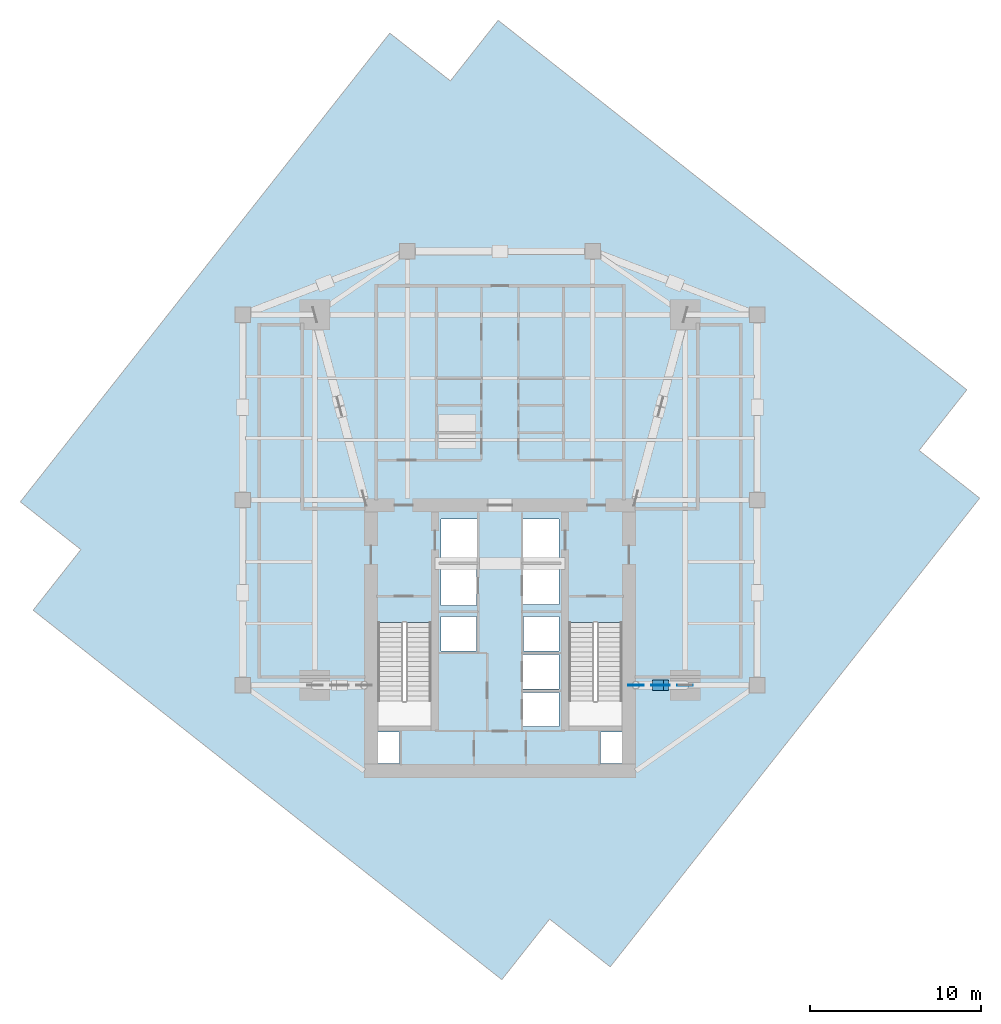
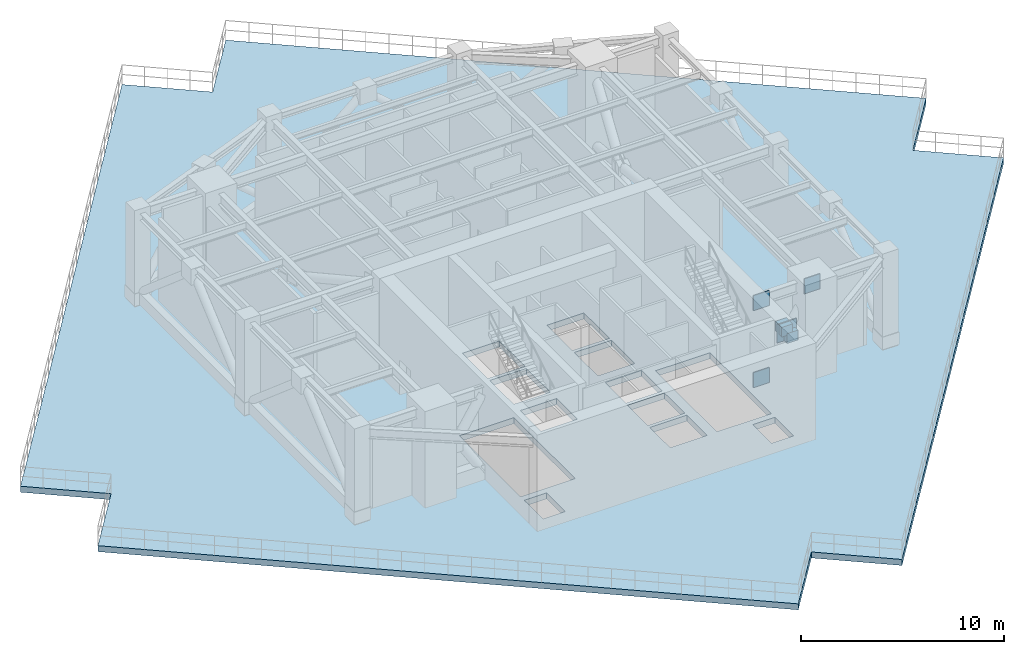
# One storey, part 3 of 8: 6 plates, 1 slab.
"""IFC4 building model written with IfcOpenShell, lengths in metres."""

from ifc_helpers import new_model, si_unit, direction, frame, origin, origin_2d, place, context, subcontext, project, spatial, polyline, rectangle, outline, extrude, source, transform, mapped, material, layer, layer_set, type_object, type_shapes, element, save


model = new_model("IFC4")

# Units and contexts
model_context = context("Model", 3, precision=1e-05, world=origin(), true_north=direction((0.0, 1.0)))
body_context = subcontext(model_context, "Body", "Model", "MODEL_VIEW")
ifc_project = project(units=[si_unit("LENGTHUNIT", "METRE"), si_unit("AREAUNIT", "SQUARE_METRE"), si_unit("VOLUMEUNIT", "CUBIC_METRE"), si_unit("PLANEANGLEUNIT", "RADIAN"), si_unit("MASSUNIT", "GRAM", prefix="KILO")], contexts=[model_context])

# Site, building, storey
site_placement = place(None, origin())
site = spatial("IfcSite", under=ifc_project, at=site_placement, CompositionType="ELEMENT")
building_placement = place(site_placement, origin())
building = spatial("IfcBuilding", under=site, at=building_placement, Name="Krantzveldt Concourse Tower", CompositionType="ELEMENT")
storey_placement = place(building_placement, frame((0.0, 0.0, 201.5)))
storey = spatial("IfcBuildingStorey", under=building, at=storey_placement, Name="L49", CompositionType="ELEMENT", Elevation=201.5)

# Slab
ifc_material_1 = material(Name="Concrete C50/60", Category="concrete")
ifc_layer_1 = layer(ifc_material_1, 0.360107421875, Name="Concrete C50/60", Category="concrete")
ifc_layer_set_1 = layer_set([ifc_layer_1], Name="Concrete C50/60 (SL-SL-WND360)")
slab_type = type_object("IfcSlabType", Name="SL-SL-WND360", PredefinedType="FLOOR", material=ifc_layer_set_1)
slab_placement = place(storey_placement, frame((0.0, 0.0, -0.360107421875)))
element("IfcSlab", 1, at=slab_placement, inside=storey, type_object=slab_type, Name="SL-L49-MAIN", PredefinedType="FLOOR", context=body_context, shape_type="SweptSolid", body=[
    extrude(outline(polyline([(33.107666015625, 51.13671875), (29.57373046875, 53.922607421875), (8.029296875, 26.59375), (11.563232421875, 23.8076171875), (8.77734375, 20.273681640625), (36.1064453125, -1.270751953125), (38.892333984375, 2.26318359375), (42.42626953125, -0.522705078125), (63.970703125, 26.806396484375), (60.436767578125, 29.59228515625), (63.22265625, 33.126220703125), (35.8935546875, 54.670654296875), (33.107666015625, 51.13671875)]), holes=[polyline([(28.8798828125, 19.547607421875), (28.8798828125, 13.52001953125), (31.97998046875, 13.52001953125), (31.97998046875, 19.547607421875), (28.8798828125, 19.547607421875)]), polyline([(40.02001953125, 19.547607421875), (40.02001953125, 13.52001953125), (43.1201171875, 13.52001953125), (43.1201171875, 19.547607421875), (40.02001953125, 19.547607421875)]), polyline([(32.550048828125, 23.10009765625), (34.64990234375, 23.10009765625), (34.64990234375, 25.60009765625), (32.550048828125, 25.60009765625), (32.550048828125, 23.10009765625)]), polyline([(37.35009765625, 23.10009765625), (39.449951171875, 23.10009765625), (39.449951171875, 25.60009765625), (37.35009765625, 25.60009765625), (37.35009765625, 23.10009765625)]), polyline([(37.35009765625, 20.60009765625), (39.449951171875, 20.60009765625), (39.449951171875, 22.89990234375), (37.35009765625, 22.89990234375), (37.35009765625, 20.60009765625)]), polyline([(37.35009765625, 13.47998046875), (39.449951171875, 13.47998046875), (39.449951171875, 15.47998046875), (37.35009765625, 15.47998046875), (37.35009765625, 13.47998046875)]), polyline([(37.35009765625, 15.679931640625), (39.449951171875, 15.679931640625), (39.449951171875, 17.679931640625), (37.35009765625, 17.679931640625), (37.35009765625, 15.679931640625)]), polyline([(32.550048828125, 20.550048828125), (34.6201171875, 20.550048828125), (34.6201171875, 22.89990234375), (32.550048828125, 22.89990234375), (32.550048828125, 20.550048828125)]), polyline([(32.550048828125, 17.8798828125), (34.6201171875, 17.8798828125), (34.6201171875, 19.919921875), (32.550048828125, 19.919921875), (32.550048828125, 17.8798828125)]), polyline([(37.3798828125, 17.8798828125), (39.449951171875, 17.8798828125), (39.449951171875, 19.919921875), (37.3798828125, 19.919921875), (37.3798828125, 17.8798828125)]), polyline([(28.8798828125, 11.320068359375), (30.139892578125, 11.320068359375), (30.139892578125, 13.159912109375), (28.8798828125, 13.159912109375), (28.8798828125, 11.320068359375)]), polyline([(41.860107421875, 11.320068359375), (43.1201171875, 11.320068359375), (43.1201171875, 13.159912109375), (41.860107421875, 13.159912109375), (41.860107421875, 11.320068359375)])]), origin(), (0.0, 0.0, 1.0), 0.360107421875),
])

# Plates
ifc_material_2 = material(Name="Steel S355J2", Category="steel")
ifc_layer_2 = layer(ifc_material_2, 0.0400390625, Name="Steel S355J2", Category="steel")
ifc_layer_set_2 = layer_set([ifc_layer_2], Name="Steel S355J2 (PL-GUSSET-40)")
plate_type_1 = type_object("IfcPlateType", Name="PL-GUSSET-40", PredefinedType="USERDEFINED", material=ifc_layer_set_2)
shared_shape_1 = source(origin(), body_context, "Body", "SweptSolid", [
    extrude(rectangle(XDim=0.89990234375, YDim=0.0400390625, at=origin_2d()), origin(), (0.0, 0.0, 1.0), 0.89990234375),
])
type_shapes(plate_type_1, [shared_shape_1])
for number, where, z_axis, x_axis, name in (
    (2, (43.919921875, 15.89990234375, 0.0), (0.0, 0.0, 1.0), (1.0, 0.0, 0.0), "OT-SE-L49-GP1"),
    (3, (43.919921875, 15.89990234375, 4.6201171875), (0.0, 0.0, 1.0), (1.0, 0.0, 0.0), "OT-SE-L49-GP2"),
    (4, (46.800048828125, 15.89990234375, 4.6201171875), (0.0, 0.0, 1.0), (1.0, 0.0, 0.0), "OT-SE-L49-GP3"),
):
    element("IfcPlate", number, at=place(storey_placement, frame(where, z_axis=z_axis, x_axis=x_axis)), inside=storey, type_object=plate_type_1, Name=name, ObjectType="GUSSET PLATE", PredefinedType="USERDEFINED", context=body_context, shape_type="MappedRepresentation", body=[
        mapped(shared_shape_1, transform((0.0, 0.0, 0.0), x_axis=(1.0, 0.0, 0.0), y_axis=(0.0, 1.0, 0.0), z_axis=(0.0, 0.0, 1.0), scale=1.0)),
    ])
ifc_layer_3 = layer(ifc_material_2, 0.0400390625, Name="Steel S355J2", Category="steel")
ifc_layer_set_3 = layer_set([ifc_layer_3], Name="Steel S355J2 (PL-GUSSET-X40)")
plate_type_2 = type_object("IfcPlateType", Name="PL-GUSSET-X40", PredefinedType="USERDEFINED", material=ifc_layer_set_3)
shared_shape_2 = source(origin(), body_context, "Body", "SweptSolid", [
    extrude(rectangle(XDim=1.10009765625, YDim=0.0400390625, at=origin_2d()), origin(), (0.0, 0.0, 1.0), 1.10009765625),
])
type_shapes(plate_type_2, [shared_shape_2])
plate_placement = place(storey_placement, frame((45.360107421875, 15.89990234375, 2.2099609375), z_axis=(0.0, 0.0, 1.0), x_axis=(1.0, 0.0, 0.0)))
element("IfcPlate", 5, at=plate_placement, inside=storey, type_object=plate_type_2, Name="L49 Outrigger X-Brace Crossing Node Plate OT-SE", ObjectType="GUSSET PLATE", PredefinedType="USERDEFINED", context=body_context, shape_type="MappedRepresentation", body=[
    mapped(shared_shape_2, transform((0.0, 0.0, 0.0), x_axis=(1.0, 0.0, 0.0), y_axis=(0.0, 1.0, 0.0), z_axis=(0.0, 0.0, 1.0), scale=1.0)),
])
ifc_layer_4 = layer(ifc_material_2, 0.034912109375, Name="Steel S355J2", Category="steel")
ifc_layer_set_4 = layer_set([ifc_layer_4], Name="Steel S355J2 (PL-ENDCAP-35)")
plate_type_3 = type_object("IfcPlateType", Name="PL-ENDCAP-35", PredefinedType="SHEET", material=ifc_layer_set_4)
shared_shape_3 = source(origin(), body_context, "Body", "SweptSolid", [
    extrude(rectangle(XDim=0.6201171875, YDim=0.6201171875, at=origin_2d()), origin(), (0.0, 0.0, 1.0), 0.580078125),
])
type_shapes(plate_type_3, [shared_shape_3])
for number, where, z_axis, x_axis, name in (
    (6, (45.21044921875, 15.89990234375, 2.7099609375), (0.0, 0.0, 1.0), (1.0, 0.0, 0.0), "OT-SE-L49-ECA"),
    (7, (45.509765625, 15.89990234375, 2.22998046875), (0.0, 0.0, 1.0), (1.0, 0.0, 0.0), "OT-SE-L49-ECB"),
):
    element("IfcPlate", number, at=place(storey_placement, frame(where, z_axis=z_axis, x_axis=x_axis)), inside=storey, type_object=plate_type_3, Name=name, PredefinedType="SHEET", context=body_context, shape_type="MappedRepresentation", body=[
        mapped(shared_shape_3, transform((0.0, 0.0, 0.0), x_axis=(1.0, 0.0, 0.0), y_axis=(0.0, 1.0, 0.0), z_axis=(0.0, 0.0, 1.0), scale=1.0)),
    ])

save(model, "model.ifc")
